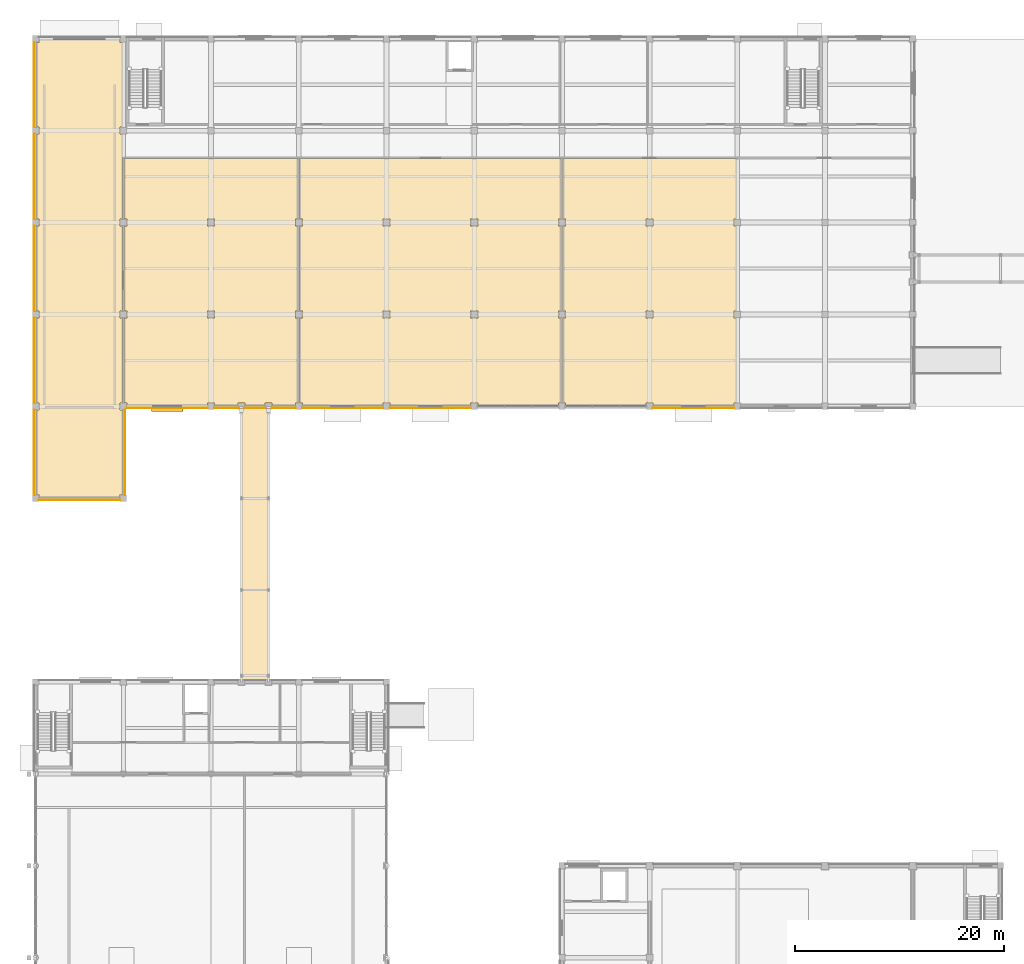
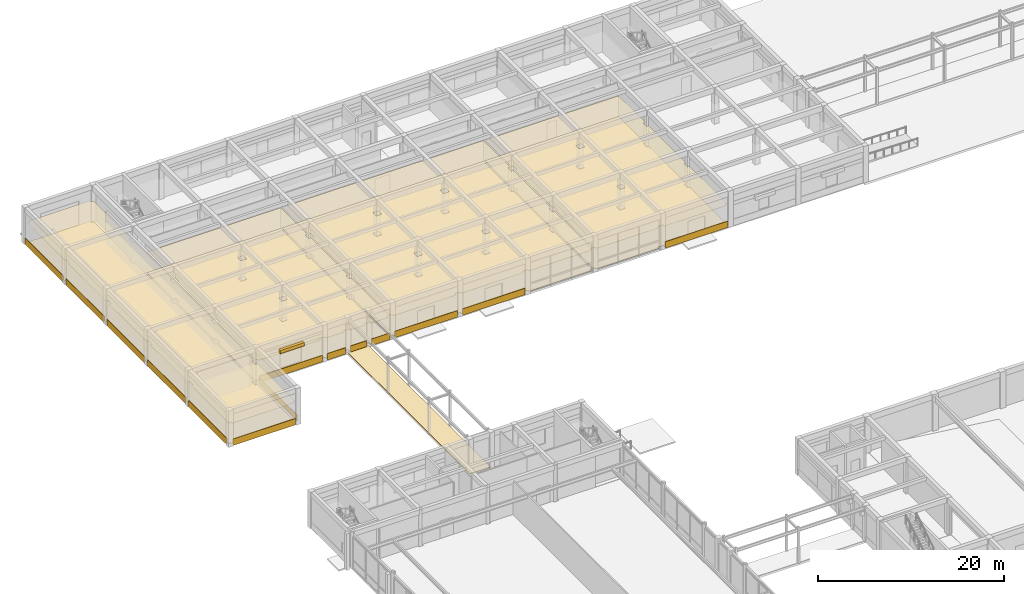
# One storey, part 51 of 58: 23 coverings, 1 shading device.
"""IFC4 building model written with IfcOpenShell, lengths in metres."""

from ifc_helpers import new_model, si_unit, direction, frame, origin, origin_2d, place, context, subcontext, project, spatial, polyline, rectangle, outline, extrude, material, layer, layer_set, type_object, element, save


model = new_model("IFC4")

# Units and contexts
model_context = context("Model", 3, precision=1e-05, world=origin(), true_north=direction((0.0, 1.0)))
body_context = subcontext(model_context, "Body", "Model", "MODEL_VIEW")
ifc_project = project(units=[si_unit("LENGTHUNIT", "METRE"), si_unit("AREAUNIT", "SQUARE_METRE"), si_unit("VOLUMEUNIT", "CUBIC_METRE"), si_unit("PLANEANGLEUNIT", "RADIAN"), si_unit("MASSUNIT", "GRAM", prefix="KILO")], contexts=[model_context])

# Site, building, storey
site_placement = place(None, origin())
site = spatial("IfcSite", under=ifc_project, at=site_placement, CompositionType="ELEMENT")
building_placement = place(site_placement, origin())
building = spatial("IfcBuilding", under=site, at=building_placement, Name="Kemercrest Conservatory and Botanical Centre", CompositionType="ELEMENT")
storey_placement = place(building_placement, origin())
storey = spatial("IfcBuildingStorey", under=building, at=storey_placement, Name="L00", CompositionType="ELEMENT", Elevation=0.0)

# Coverings
ifc_material_1 = material(Name="Honed limestone almasik ashlar rainscreen", Category="masonry")
ifc_layer_1 = layer(ifc_material_1, 0.0400390625)
ifc_layer_set_1 = layer_set([ifc_layer_1], Name="Honed limestone almasik ashlar rainscreen")
covering_type_1 = type_object("IfcCoveringType", Name="CV-CLD040", PredefinedType="CLADDING", material=ifc_layer_set_1)
covering_1_placement = place(storey_placement, origin())
element("IfcCovering", 1, at=covering_1_placement, inside=storey, type_object=covering_type_1, Name="Exterior stone spandrel cladding (WAL:L00:RMP-068)", PredefinedType="CLADDING", context=body_context, shape_type="SweptSolid", body=[
    extrude(outline(polyline([(8.31005859375, 78.25), (8.31005859375, 78.2099609375), (16.090087890625, 78.2099609375), (16.090087890625, 78.25), (8.31005859375, 78.25)])), origin(), (0.0, 0.0, 1.0), 0.85009765625),
])
covering_2_placement = place(storey_placement, origin())
element("IfcCovering", 2, at=covering_2_placement, inside=storey, type_object=covering_type_1, Name="Exterior stone spandrel cladding (WAL:L00:RMP-069)", PredefinedType="CLADDING", context=body_context, shape_type="SweptSolid", body=[
    extrude(outline(polyline([(16.550048828125, 78.7099609375), (16.590087890625, 78.7099609375), (16.590087890625, 86.889892578125), (16.550048828125, 86.889892578125), (16.550048828125, 78.7099609375)])), origin(), (0.0, 0.0, 1.0), 0.85009765625),
])
covering_3_placement = place(storey_placement, origin())
element("IfcCovering", 3, at=covering_3_placement, inside=storey, type_object=covering_type_1, Name="Exterior stone spandrel cladding (WAL:L00:RMP-070)", PredefinedType="CLADDING", context=body_context, shape_type="SweptSolid", body=[
    extrude(outline(polyline([(7.85009765625, 86.889892578125), (7.81005859375, 86.889892578125), (7.81005859375, 78.7099609375), (7.85009765625, 78.7099609375), (7.85009765625, 86.889892578125)])), origin(), (0.0, 0.0, 1.0), 0.85009765625),
])
covering_4_placement = place(storey_placement, origin())
element("IfcCovering", 4, at=covering_4_placement, inside=storey, type_object=covering_type_1, Name="Exterior stone spandrel cladding (WAL:L00:EXT-071)", PredefinedType="CLADDING", context=body_context, shape_type="SweptSolid", body=[
    extrude(outline(polyline([(16.7099609375, 87.050048828125), (16.7099609375, 87.010009765625), (24.489990234375, 87.010009765625), (24.489990234375, 87.050048828125), (16.7099609375, 87.050048828125)])), origin(), (0.0, 0.0, 1.0), 0.85009765625),
])
covering_5_placement = place(storey_placement, origin())
element("IfcCovering", 5, at=covering_5_placement, inside=storey, type_object=covering_type_1, Name="Exterior stone spandrel cladding (WAL:L00:EXT-072-S1)", PredefinedType="CLADDING", context=body_context, shape_type="SweptSolid", body=[
    extrude(outline(polyline([(25.110107421875, 87.050048828125), (25.110107421875, 87.010009765625), (27.389892578125, 87.010009765625), (27.389892578125, 87.050048828125), (25.110107421875, 87.050048828125)])), origin(), (0.0, 0.0, 1.0), 0.85009765625),
])
covering_6_placement = place(storey_placement, origin())
element("IfcCovering", 6, at=covering_6_placement, inside=storey, type_object=covering_type_1, Name="Exterior stone spandrel cladding (WAL:L00:EXT-072-S2)", PredefinedType="CLADDING", context=body_context, shape_type="SweptSolid", body=[
    extrude(outline(polyline([(28.010009765625, 87.050048828125), (28.010009765625, 87.010009765625), (29.989990234375, 87.010009765625), (29.989990234375, 87.050048828125), (28.010009765625, 87.050048828125)])), origin(), (0.0, 0.0, 1.0), 0.85009765625),
])
covering_7_placement = place(storey_placement, origin())
element("IfcCovering", 7, at=covering_7_placement, inside=storey, type_object=covering_type_1, Name="Exterior stone spandrel cladding (WAL:L00:EXT-072-S3)", PredefinedType="CLADDING", context=body_context, shape_type="SweptSolid", body=[
    extrude(outline(polyline([(30.610107421875, 87.050048828125), (30.610107421875, 87.010009765625), (32.889892578125, 87.010009765625), (32.889892578125, 87.050048828125), (30.610107421875, 87.050048828125)])), origin(), (0.0, 0.0, 1.0), 0.85009765625),
])
covering_8_placement = place(storey_placement, origin())
element("IfcCovering", 8, at=covering_8_placement, inside=storey, type_object=covering_type_1, Name="Exterior stone spandrel cladding (WAL:L00:EXT-073)", PredefinedType="CLADDING", context=body_context, shape_type="SweptSolid", body=[
    extrude(outline(polyline([(33.510009765625, 87.050048828125), (33.510009765625, 87.010009765625), (41.2900390625, 87.010009765625), (41.2900390625, 87.050048828125), (33.510009765625, 87.050048828125)])), origin(), (0.0, 0.0, 1.0), 0.85009765625),
])
covering_9_placement = place(storey_placement, origin())
element("IfcCovering", 9, at=covering_9_placement, inside=storey, type_object=covering_type_1, Name="Exterior stone spandrel cladding (WAL:L00:EXT-074)", PredefinedType="CLADDING", context=body_context, shape_type="SweptSolid", body=[
    extrude(outline(polyline([(41.909912109375, 87.050048828125), (41.909912109375, 87.010009765625), (49.68994140625, 87.010009765625), (49.68994140625, 87.050048828125), (41.909912109375, 87.050048828125)])), origin(), (0.0, 0.0, 1.0), 0.85009765625),
])
covering_10_placement = place(storey_placement, origin())
element("IfcCovering", 10, at=covering_10_placement, inside=storey, type_object=covering_type_1, Name="Exterior stone spandrel cladding (WAL:L00:EXT-075)", PredefinedType="CLADDING", context=body_context, shape_type="SweptSolid", body=[
    extrude(outline(polyline([(67.110107421875, 87.050048828125), (67.110107421875, 87.010009765625), (74.889892578125, 87.010009765625), (74.889892578125, 87.050048828125), (67.110107421875, 87.050048828125)])), origin(), (0.0, 0.0, 1.0), 0.85009765625),
])
covering_11_placement = place(storey_placement, origin())
element("IfcCovering", 11, at=covering_11_placement, inside=storey, type_object=covering_type_1, Name="Exterior stone spandrel cladding (WAL:L00:EXT-092)", PredefinedType="CLADDING", context=body_context, shape_type="SweptSolid", body=[
    extrude(outline(polyline([(7.85009765625, 122.090087890625), (7.81005859375, 122.090087890625), (7.81005859375, 113.909912109375), (7.85009765625, 113.909912109375), (7.85009765625, 122.090087890625)])), origin(), (0.0, 0.0, 1.0), 0.85009765625),
])
covering_12_placement = place(storey_placement, origin())
element("IfcCovering", 12, at=covering_12_placement, inside=storey, type_object=covering_type_1, Name="Exterior stone spandrel cladding (WAL:L00:EXT-093)", PredefinedType="CLADDING", context=body_context, shape_type="SweptSolid", body=[
    extrude(outline(polyline([(7.85009765625, 113.2900390625), (7.81005859375, 113.2900390625), (7.81005859375, 105.110107421875), (7.85009765625, 105.110107421875), (7.85009765625, 113.2900390625)])), origin(), (0.0, 0.0, 1.0), 0.85009765625),
])
covering_13_placement = place(storey_placement, origin())
element("IfcCovering", 13, at=covering_13_placement, inside=storey, type_object=covering_type_1, Name="Exterior stone spandrel cladding (WAL:L00:EXT-094)", PredefinedType="CLADDING", context=body_context, shape_type="SweptSolid", body=[
    extrude(outline(polyline([(7.85009765625, 104.489990234375), (7.81005859375, 104.489990234375), (7.81005859375, 96.31005859375), (7.85009765625, 96.31005859375), (7.85009765625, 104.489990234375)])), origin(), (0.0, 0.0, 1.0), 0.85009765625),
])
covering_14_placement = place(storey_placement, origin())
element("IfcCovering", 14, at=covering_14_placement, inside=storey, type_object=covering_type_1, Name="Exterior stone spandrel cladding (WAL:L00:EXT-095)", PredefinedType="CLADDING", context=body_context, shape_type="SweptSolid", body=[
    extrude(outline(polyline([(7.85009765625, 95.68994140625), (7.81005859375, 95.68994140625), (7.81005859375, 87.510009765625), (7.85009765625, 87.510009765625), (7.85009765625, 95.68994140625)])), origin(), (0.0, 0.0, 1.0), 0.85009765625),
])
ifc_material_2 = material(Name="Perforated acoustic gypsum and mineral-fibre suspended ceiling", Category="gypsum")
ifc_layer_2 = layer(ifc_material_2, 0.034912109375)
ifc_layer_set_2 = layer_set([ifc_layer_2], Name="Perforated acoustic gypsum and mineral-fibre suspended ceiling")
covering_type_2 = type_object("IfcCoveringType", Name="CV-CLG035", PredefinedType="CEILING", material=ifc_layer_set_2)
covering_15_placement = place(storey_placement, frame((0.0, 0.0, 2.699951171875)))
element("IfcCovering", 15, at=covering_15_placement, inside=storey, type_object=covering_type_2, Name="Enclosed Vehicle Ramp Portal suspended acoustic ceiling", PredefinedType="CEILING", context=body_context, shape_type="SweptSolid", body=[
    extrude(outline(polyline([(8.340087890625, 78.47998046875), (16.06005859375, 78.47998046875), (16.06005859375, 78.739990234375), (16.320068359375, 78.739990234375), (16.320068359375, 86.860107421875), (16.06005859375, 86.860107421875), (16.06005859375, 87.5400390625), (16.320068359375, 87.5400390625), (16.320068359375, 95.659912109375), (16.06005859375, 95.659912109375), (16.06005859375, 96.340087890625), (16.320068359375, 96.340087890625), (16.320068359375, 104.4599609375), (16.06005859375, 104.4599609375), (16.06005859375, 105.139892578125), (16.320068359375, 105.139892578125), (16.320068359375, 113.260009765625), (16.06005859375, 113.260009765625), (16.06005859375, 113.93994140625), (16.320068359375, 113.93994140625), (16.320068359375, 122.06005859375), (16.06005859375, 122.06005859375), (16.06005859375, 122.320068359375), (8.340087890625, 122.320068359375), (8.340087890625, 122.06005859375), (8.080078125, 122.06005859375), (8.080078125, 113.93994140625), (8.340087890625, 113.93994140625), (8.340087890625, 113.260009765625), (8.080078125, 113.260009765625), (8.080078125, 105.139892578125), (8.340087890625, 105.139892578125), (8.340087890625, 104.4599609375), (8.080078125, 104.4599609375), (8.080078125, 96.340087890625), (8.340087890625, 96.340087890625), (8.340087890625, 95.659912109375), (8.080078125, 95.659912109375), (8.080078125, 87.5400390625), (8.340087890625, 87.5400390625), (8.340087890625, 86.860107421875), (8.080078125, 86.860107421875), (8.080078125, 78.739990234375), (8.340087890625, 78.739990234375), (8.340087890625, 78.47998046875)])), origin(), (0.0, 0.0, 1.0), 0.03515625),
])
covering_16_placement = place(storey_placement, frame((0.0, 0.0, 2.699951171875)))
element("IfcCovering", 16, at=covering_16_placement, inside=storey, type_object=covering_type_2, Name="Visitor Centre suspended acoustic ceiling", PredefinedType="CEILING", context=body_context, shape_type="SweptSolid", body=[
    extrude(outline(polyline([(49.659912109375, 87.5400390625), (50.340087890625, 87.5400390625), (50.340087890625, 87.280029296875), (58.06005859375, 87.280029296875), (58.06005859375, 87.5400390625), (58.320068359375, 87.5400390625), (58.320068359375, 95.659912109375), (58.06005859375, 95.659912109375), (58.06005859375, 96.340087890625), (58.320068359375, 96.340087890625), (58.320068359375, 104.4599609375), (58.06005859375, 104.4599609375), (58.06005859375, 105.139892578125), (58.320068359375, 105.139892578125), (58.320068359375, 110.919921875), (33.280029296875, 110.919921875), (33.280029296875, 105.139892578125), (33.5400390625, 105.139892578125), (33.5400390625, 104.4599609375), (33.280029296875, 104.4599609375), (33.280029296875, 96.340087890625), (33.5400390625, 96.340087890625), (33.5400390625, 95.659912109375), (33.280029296875, 95.659912109375), (33.280029296875, 87.5400390625), (33.5400390625, 87.5400390625), (33.5400390625, 87.280029296875), (41.260009765625, 87.280029296875), (41.260009765625, 87.5400390625), (41.93994140625, 87.5400390625), (41.93994140625, 87.280029296875), (49.659912109375, 87.280029296875), (49.659912109375, 87.5400390625)]), holes=[polyline([(49.659912109375, 95.659912109375), (49.659912109375, 96.340087890625), (50.340087890625, 96.340087890625), (50.340087890625, 95.659912109375), (49.659912109375, 95.659912109375)]), polyline([(49.659912109375, 104.4599609375), (49.659912109375, 105.139892578125), (50.340087890625, 105.139892578125), (50.340087890625, 104.4599609375), (49.659912109375, 104.4599609375)]), polyline([(41.260009765625, 95.659912109375), (41.260009765625, 96.340087890625), (41.93994140625, 96.340087890625), (41.93994140625, 95.659912109375), (41.260009765625, 95.659912109375)]), polyline([(41.260009765625, 104.4599609375), (41.260009765625, 105.139892578125), (41.93994140625, 105.139892578125), (41.93994140625, 104.4599609375), (41.260009765625, 104.4599609375)])]), origin(), (0.0, 0.0, 1.0), 0.03515625),
])
covering_17_placement = place(storey_placement, frame((0.0, 0.0, 2.699951171875)))
element("IfcCovering", 17, at=covering_17_placement, inside=storey, type_object=covering_type_2, Name="Botanical Cafe suspended acoustic ceiling", PredefinedType="CEILING", context=body_context, shape_type="SweptSolid", body=[
    extrude(outline(polyline([(29.9599609375, 87.5400390625), (30.639892578125, 87.5400390625), (30.639892578125, 87.280029296875), (32.860107421875, 87.280029296875), (32.860107421875, 87.5400390625), (33.1201171875, 87.5400390625), (33.1201171875, 95.659912109375), (32.860107421875, 95.659912109375), (32.860107421875, 96.340087890625), (33.1201171875, 96.340087890625), (33.1201171875, 104.4599609375), (32.860107421875, 104.4599609375), (32.860107421875, 105.139892578125), (33.1201171875, 105.139892578125), (33.1201171875, 110.919921875), (16.47998046875, 110.919921875), (16.47998046875, 105.139892578125), (16.739990234375, 105.139892578125), (16.739990234375, 104.4599609375), (16.47998046875, 104.4599609375), (16.47998046875, 96.340087890625), (16.739990234375, 96.340087890625), (16.739990234375, 95.659912109375), (16.47998046875, 95.659912109375), (16.47998046875, 87.5400390625), (16.739990234375, 87.5400390625), (16.739990234375, 87.280029296875), (24.4599609375, 87.280029296875), (24.4599609375, 87.5400390625), (25.139892578125, 87.5400390625), (25.139892578125, 87.280029296875), (27.360107421875, 87.280029296875), (27.360107421875, 87.5400390625), (28.0400390625, 87.5400390625), (28.0400390625, 87.280029296875), (29.9599609375, 87.280029296875), (29.9599609375, 87.5400390625)]), holes=[polyline([(24.4599609375, 95.659912109375), (24.4599609375, 96.340087890625), (25.139892578125, 96.340087890625), (25.139892578125, 95.659912109375), (24.4599609375, 95.659912109375)]), polyline([(24.4599609375, 104.4599609375), (24.4599609375, 105.139892578125), (25.139892578125, 105.139892578125), (25.139892578125, 104.4599609375), (24.4599609375, 104.4599609375)])]), origin(), (0.0, 0.0, 1.0), 0.03515625),
])
covering_18_placement = place(storey_placement, frame((0.0, 0.0, 2.699951171875)))
element("IfcCovering", 18, at=covering_18_placement, inside=storey, type_object=covering_type_2, Name="Botanical Gift Shop suspended acoustic ceiling", PredefinedType="CEILING", context=body_context, shape_type="SweptSolid", body=[
    extrude(outline(polyline([(66.4599609375, 87.5400390625), (67.139892578125, 87.5400390625), (67.139892578125, 87.280029296875), (74.860107421875, 87.280029296875), (74.860107421875, 87.5400390625), (75.1201171875, 87.5400390625), (75.1201171875, 95.659912109375), (74.860107421875, 95.659912109375), (74.860107421875, 96.340087890625), (75.1201171875, 96.340087890625), (75.1201171875, 104.4599609375), (74.860107421875, 104.4599609375), (74.860107421875, 105.139892578125), (75.1201171875, 105.139892578125), (75.1201171875, 110.919921875), (58.47998046875, 110.919921875), (58.47998046875, 105.139892578125), (58.739990234375, 105.139892578125), (58.739990234375, 104.4599609375), (58.47998046875, 104.4599609375), (58.47998046875, 96.340087890625), (58.739990234375, 96.340087890625), (58.739990234375, 95.659912109375), (58.47998046875, 95.659912109375), (58.47998046875, 87.5400390625), (58.739990234375, 87.5400390625), (58.739990234375, 87.280029296875), (66.4599609375, 87.280029296875), (66.4599609375, 87.5400390625)]), holes=[polyline([(66.4599609375, 95.659912109375), (66.4599609375, 96.340087890625), (67.139892578125, 96.340087890625), (67.139892578125, 95.659912109375), (66.4599609375, 95.659912109375)]), polyline([(66.4599609375, 104.4599609375), (66.4599609375, 105.139892578125), (67.139892578125, 105.139892578125), (67.139892578125, 104.4599609375), (66.4599609375, 104.4599609375)])]), origin(), (0.0, 0.0, 1.0), 0.03515625),
])
ifc_material_3 = material(Name="Polished limestone terrazzo and seamless laboratory epoxy flooring", Category="masonry")
ifc_layer_3 = layer(ifc_material_3, 0.02001953125)
ifc_layer_set_3 = layer_set([ifc_layer_3], Name="Polished limestone terrazzo and seamless laboratory epoxy flooring")
covering_type_3 = type_object("IfcCoveringType", Name="CV-FLR020", PredefinedType="FLOORING", material=ifc_layer_set_3)
covering_19_placement = place(storey_placement, origin())
element("IfcCovering", 19, at=covering_19_placement, inside=storey, type_object=covering_type_3, Name="Enclosed Vehicle Ramp Portal floor finish", PredefinedType="FLOORING", context=body_context, shape_type="SweptSolid", body=[
    extrude(outline(polyline([(8.340087890625, 78.47998046875), (16.06005859375, 78.47998046875), (16.06005859375, 78.739990234375), (16.320068359375, 78.739990234375), (16.320068359375, 86.860107421875), (16.06005859375, 86.860107421875), (16.06005859375, 87.5400390625), (16.320068359375, 87.5400390625), (16.320068359375, 95.659912109375), (16.06005859375, 95.659912109375), (16.06005859375, 96.340087890625), (16.320068359375, 96.340087890625), (16.320068359375, 104.4599609375), (16.06005859375, 104.4599609375), (16.06005859375, 105.139892578125), (16.320068359375, 105.139892578125), (16.320068359375, 113.260009765625), (16.06005859375, 113.260009765625), (16.06005859375, 113.93994140625), (16.320068359375, 113.93994140625), (16.320068359375, 122.06005859375), (16.06005859375, 122.06005859375), (16.06005859375, 122.320068359375), (8.340087890625, 122.320068359375), (8.340087890625, 122.06005859375), (8.080078125, 122.06005859375), (8.080078125, 113.93994140625), (8.340087890625, 113.93994140625), (8.340087890625, 113.260009765625), (8.080078125, 113.260009765625), (8.080078125, 105.139892578125), (8.340087890625, 105.139892578125), (8.340087890625, 104.4599609375), (8.080078125, 104.4599609375), (8.080078125, 96.340087890625), (8.340087890625, 96.340087890625), (8.340087890625, 95.659912109375), (8.080078125, 95.659912109375), (8.080078125, 87.5400390625), (8.340087890625, 87.5400390625), (8.340087890625, 86.860107421875), (8.080078125, 86.860107421875), (8.080078125, 78.739990234375), (8.340087890625, 78.739990234375), (8.340087890625, 78.47998046875)])), origin(), (0.0, 0.0, 1.0), 0.02001953125),
])
covering_20_placement = place(storey_placement, origin())
element("IfcCovering", 20, at=covering_20_placement, inside=storey, type_object=covering_type_3, Name="Visitor Centre floor finish", PredefinedType="FLOORING", context=body_context, shape_type="SweptSolid", body=[
    extrude(outline(polyline([(49.659912109375, 87.5400390625), (50.340087890625, 87.5400390625), (50.340087890625, 87.280029296875), (58.06005859375, 87.280029296875), (58.06005859375, 87.5400390625), (58.320068359375, 87.5400390625), (58.320068359375, 95.659912109375), (58.06005859375, 95.659912109375), (58.06005859375, 96.340087890625), (58.320068359375, 96.340087890625), (58.320068359375, 104.4599609375), (58.06005859375, 104.4599609375), (58.06005859375, 105.139892578125), (58.320068359375, 105.139892578125), (58.320068359375, 110.919921875), (33.280029296875, 110.919921875), (33.280029296875, 105.139892578125), (33.5400390625, 105.139892578125), (33.5400390625, 104.4599609375), (33.280029296875, 104.4599609375), (33.280029296875, 96.340087890625), (33.5400390625, 96.340087890625), (33.5400390625, 95.659912109375), (33.280029296875, 95.659912109375), (33.280029296875, 87.5400390625), (33.5400390625, 87.5400390625), (33.5400390625, 87.280029296875), (41.260009765625, 87.280029296875), (41.260009765625, 87.5400390625), (41.93994140625, 87.5400390625), (41.93994140625, 87.280029296875), (49.659912109375, 87.280029296875), (49.659912109375, 87.5400390625)]), holes=[polyline([(49.659912109375, 95.659912109375), (49.659912109375, 96.340087890625), (50.340087890625, 96.340087890625), (50.340087890625, 95.659912109375), (49.659912109375, 95.659912109375)]), polyline([(49.659912109375, 104.4599609375), (49.659912109375, 105.139892578125), (50.340087890625, 105.139892578125), (50.340087890625, 104.4599609375), (49.659912109375, 104.4599609375)]), polyline([(41.260009765625, 95.659912109375), (41.260009765625, 96.340087890625), (41.93994140625, 96.340087890625), (41.93994140625, 95.659912109375), (41.260009765625, 95.659912109375)]), polyline([(41.260009765625, 104.4599609375), (41.260009765625, 105.139892578125), (41.93994140625, 105.139892578125), (41.93994140625, 104.4599609375), (41.260009765625, 104.4599609375)])]), origin(), (0.0, 0.0, 1.0), 0.02001953125),
])
covering_21_placement = place(storey_placement, origin())
element("IfcCovering", 21, at=covering_21_placement, inside=storey, type_object=covering_type_3, Name="Botanical Cafe floor finish", PredefinedType="FLOORING", context=body_context, shape_type="SweptSolid", body=[
    extrude(outline(polyline([(29.9599609375, 87.5400390625), (30.639892578125, 87.5400390625), (30.639892578125, 87.280029296875), (32.860107421875, 87.280029296875), (32.860107421875, 87.5400390625), (33.1201171875, 87.5400390625), (33.1201171875, 95.659912109375), (32.860107421875, 95.659912109375), (32.860107421875, 96.340087890625), (33.1201171875, 96.340087890625), (33.1201171875, 104.4599609375), (32.860107421875, 104.4599609375), (32.860107421875, 105.139892578125), (33.1201171875, 105.139892578125), (33.1201171875, 110.919921875), (16.47998046875, 110.919921875), (16.47998046875, 105.139892578125), (16.739990234375, 105.139892578125), (16.739990234375, 104.4599609375), (16.47998046875, 104.4599609375), (16.47998046875, 96.340087890625), (16.739990234375, 96.340087890625), (16.739990234375, 95.659912109375), (16.47998046875, 95.659912109375), (16.47998046875, 87.5400390625), (16.739990234375, 87.5400390625), (16.739990234375, 87.280029296875), (24.4599609375, 87.280029296875), (24.4599609375, 87.5400390625), (25.139892578125, 87.5400390625), (25.139892578125, 87.280029296875), (27.360107421875, 87.280029296875), (27.360107421875, 87.5400390625), (28.0400390625, 87.5400390625), (28.0400390625, 87.280029296875), (29.9599609375, 87.280029296875), (29.9599609375, 87.5400390625)]), holes=[polyline([(24.4599609375, 95.659912109375), (24.4599609375, 96.340087890625), (25.139892578125, 96.340087890625), (25.139892578125, 95.659912109375), (24.4599609375, 95.659912109375)]), polyline([(24.4599609375, 104.4599609375), (24.4599609375, 105.139892578125), (25.139892578125, 105.139892578125), (25.139892578125, 104.4599609375), (24.4599609375, 104.4599609375)])]), origin(), (0.0, 0.0, 1.0), 0.02001953125),
])
covering_22_placement = place(storey_placement, origin())
element("IfcCovering", 22, at=covering_22_placement, inside=storey, type_object=covering_type_3, Name="Botanical Gift Shop floor finish", PredefinedType="FLOORING", context=body_context, shape_type="SweptSolid", body=[
    extrude(outline(polyline([(66.4599609375, 87.5400390625), (67.139892578125, 87.5400390625), (67.139892578125, 87.280029296875), (74.860107421875, 87.280029296875), (74.860107421875, 87.5400390625), (75.1201171875, 87.5400390625), (75.1201171875, 95.659912109375), (74.860107421875, 95.659912109375), (74.860107421875, 96.340087890625), (75.1201171875, 96.340087890625), (75.1201171875, 104.4599609375), (74.860107421875, 104.4599609375), (74.860107421875, 105.139892578125), (75.1201171875, 105.139892578125), (75.1201171875, 110.919921875), (58.47998046875, 110.919921875), (58.47998046875, 105.139892578125), (58.739990234375, 105.139892578125), (58.739990234375, 104.4599609375), (58.47998046875, 104.4599609375), (58.47998046875, 96.340087890625), (58.739990234375, 96.340087890625), (58.739990234375, 95.659912109375), (58.47998046875, 95.659912109375), (58.47998046875, 87.5400390625), (58.739990234375, 87.5400390625), (58.739990234375, 87.280029296875), (66.4599609375, 87.280029296875), (66.4599609375, 87.5400390625)]), holes=[polyline([(66.4599609375, 95.659912109375), (66.4599609375, 96.340087890625), (67.139892578125, 96.340087890625), (67.139892578125, 95.659912109375), (66.4599609375, 95.659912109375)]), polyline([(66.4599609375, 104.4599609375), (66.4599609375, 105.139892578125), (67.139892578125, 105.139892578125), (67.139892578125, 104.4599609375), (66.4599609375, 104.4599609375)])]), origin(), (0.0, 0.0, 1.0), 0.02001953125),
])
ifc_material_4 = material(Name="SBS modified bitumen insulated roofing membrane", Category="roofing")
ifc_layer_4 = layer(ifc_material_4, 0.06005859375)
ifc_layer_set_4 = layer_set([ifc_layer_4], Name="SBS modified bitumen insulated roofing membrane")
covering_type_4 = type_object("IfcCoveringType", Name="CV-RFG060", PredefinedType="ROOFING", material=ifc_layer_set_4)
covering_23_placement = place(storey_placement, origin())
element("IfcCovering", 23, at=covering_23_placement, inside=storey, type_object=covering_type_4, Name="Insulated roof membrane covering (West Botanical Court Covered Passage SJ-2 ground colonnade walkway)", PredefinedType="ROOFING", context=body_context, shape_type="SweptSolid", body=[
    extrude(outline(polyline([(27.699951171875, 60.800048828125), (30.300048828125, 60.800048828125), (30.300048828125, 87.199951171875), (27.699951171875, 87.199951171875), (27.699951171875, 60.800048828125)])), origin(), (0.0, 0.0, 1.0), 0.06005859375),
])

# Shading device
ifc_material_5 = material(Name="Architectural bronze-anodized extruded aluminium", Category="aluminium")
shading_device_type = type_object("IfcShadingDeviceType", Name="SH-JL02", PredefinedType="JALOUSIE", material=ifc_material_5)
shading_device_placement = place(storey_placement, frame((20.60009765625, 86.876953125, 3.10498046875), z_axis=(0.0, 0.0, 1.0), x_axis=(1.0, 0.0, 0.0)))
element("IfcShadingDevice", 24, at=shading_device_placement, inside=storey, type_object=shading_device_type, Name="Solar control louvre visor SH-JL02 (WIN:L00:EXT-071)", PredefinedType="JALOUSIE", context=body_context, shape_type="SweptSolid", body=[
    extrude(rectangle(XDim=2.97998046875, YDim=0.35009765625, at=origin_2d()), origin(), (0.0, 0.0, 1.0), 0.449951171875),
])

save(model, "model.ifc")
